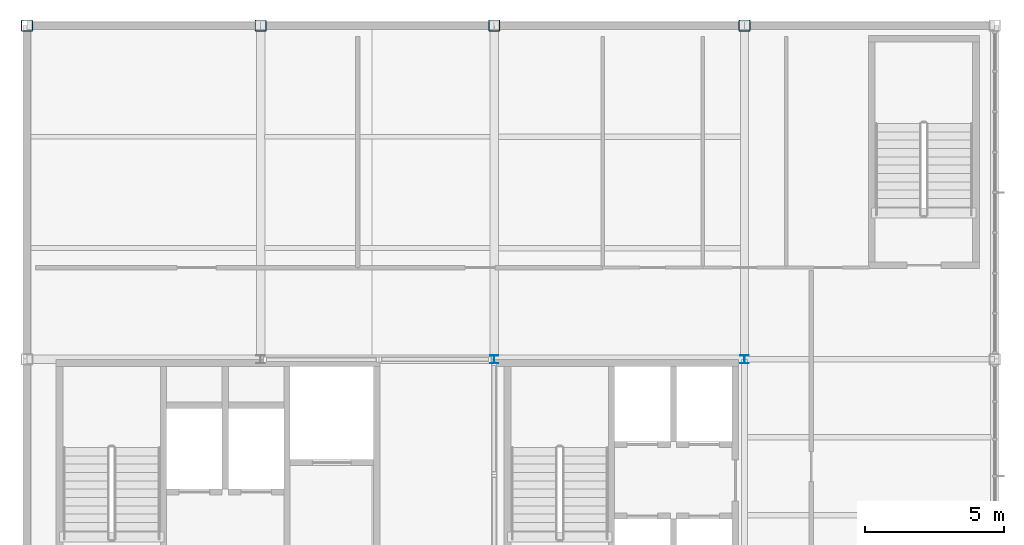
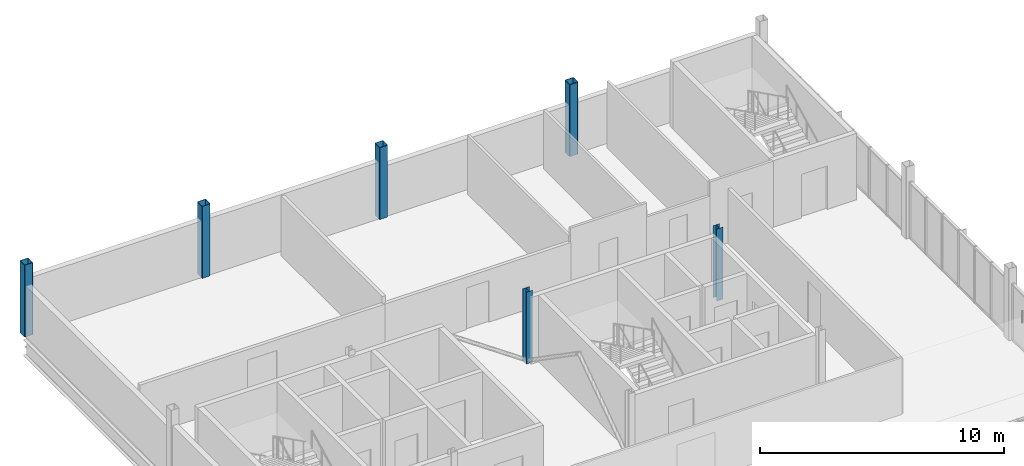
# One storey, part 2 of 17: 6 columns.
"""IFC4 building model written with IfcOpenShell, lengths in metres."""

from ifc_helpers import new_model, si_unit, direction, frame, origin, origin_2d, place, context, subcontext, project, spatial, hollow_rectangle, i_section, extrude, material, material_profile, profile_set, type_object, element, save


model = new_model("IFC4")

# Units and contexts
model_context = context("Model", 3, precision=1e-05, world=origin(), true_north=direction((0.0, 1.0)))
body_context = subcontext(model_context, "Body", "Model", "MODEL_VIEW")
ifc_project = project(units=[si_unit("LENGTHUNIT", "METRE"), si_unit("AREAUNIT", "SQUARE_METRE"), si_unit("VOLUMEUNIT", "CUBIC_METRE"), si_unit("PLANEANGLEUNIT", "RADIAN"), si_unit("MASSUNIT", "GRAM", prefix="KILO")], contexts=[model_context])

# Site, building, storey
site_placement = place(None, origin())
site = spatial("IfcSite", under=ifc_project, at=site_placement, CompositionType="ELEMENT")
building_placement = place(site_placement, origin())
building = spatial("IfcBuilding", under=site, at=building_placement, Name="Yukiwa Park Conservatory and Herbarium", CompositionType="ELEMENT")
storey_placement = place(building_placement, frame((0.0, 0.0, 57.60009765625)))
storey = spatial("IfcBuildingStorey", under=building, at=storey_placement, Name="L15", CompositionType="ELEMENT", Elevation=57.60009765625)

# Columns
ifc_material_1 = material(Name="Steel Q355D", Category="steel")
ifc_material_profile_1 = material_profile(ifc_material_1, hollow_rectangle(XDim=0.39990234375, YDim=0.39990234375, WallThickness=0.01611328125, InnerFilletRadius=0.01611328125, OuterFilletRadius=0.031982421875, at=origin_2d()), Name="BOX 400x400x16")
ifc_profile_set_1 = profile_set([ifc_material_profile_1], Name="Steel Q355D")
column_type_1 = type_object("IfcColumnType", Name="COL-TW-BOX400-EXT", PredefinedType="COLUMN", material=ifc_profile_set_1)
for number, where, z_axis, x_axis, name in (
    (1, (133.199951171875, 115.199951171875, 0.0), (0.0, 0.0, 1.0), (1.0, 0.0, 0.0), "L15 column V5-X1332-Y1152"),
    (2, (141.60009765625, 115.199951171875, 0.0), (0.0, 0.0, 1.0), (1.0, 0.0, 0.0), "L15 column V5-X1416-Y1152"),
    (3, (150.0, 115.199951171875, 0.0), (0.0, 0.0, 1.0), (1.0, 0.0, 0.0), "L15 column V5-X1500-Y1152"),
    (4, (159.0, 115.199951171875, 0.0), (0.0, 0.0, 1.0), (1.0, 0.0, 0.0), "L15 column V5-X1590-Y1152"),
):
    element("IfcColumn", number, at=place(storey_placement, frame(where, z_axis=z_axis, x_axis=x_axis)), inside=storey, type_object=column_type_1, Name=name, PredefinedType="COLUMN", context=body_context, shape_type="SweptSolid", body=[
        extrude(hollow_rectangle(XDim=0.39990234375, YDim=0.39990234375, WallThickness=0.01611328125, InnerFilletRadius=0.01611328125, OuterFilletRadius=0.031982421875, at=origin_2d()), origin(), (0.0, 0.0, 1.0), 3.599853515625),
    ])
ifc_material_2 = material(Name="Steel Q355D", Category="steel")
ifc_material_profile_2 = material_profile(ifc_material_2, i_section(OverallWidth=0.302001953125, OverallDepth=0.2939453125, WebThickness=0.011962890625, FlangeThickness=0.011962890625, FilletRadius=0.01806640625, at=origin_2d()), Name="HW 294x302x12x12")
ifc_profile_set_2 = profile_set([ifc_material_profile_2], Name="Steel Q355D")
column_type_2 = type_object("IfcColumnType", Name="COL-TW-HW294", PredefinedType="COLUMN", material=ifc_profile_set_2)
for number, where, z_axis, x_axis, name in (
    (5, (150.0, 103.199951171875, 0.0), (0.0, 0.0, 1.0), (1.0, 0.0, 0.0), "L15 column V5-X1500-Y1032"),
    (6, (159.0, 103.199951171875, 0.0), (0.0, 0.0, 1.0), (1.0, 0.0, 0.0), "L15 column V5-X1590-Y1032"),
):
    element("IfcColumn", number, at=place(storey_placement, frame(where, z_axis=z_axis, x_axis=x_axis)), inside=storey, type_object=column_type_2, Name=name, PredefinedType="COLUMN", context=body_context, shape_type="SweptSolid", body=[
        extrude(i_section(OverallWidth=0.302001953125, OverallDepth=0.2939453125, WebThickness=0.011962890625, FlangeThickness=0.011962890625, FilletRadius=0.01806640625, at=origin_2d()), origin(), (0.0, 0.0, 1.0), 3.599853515625),
    ])

save(model, "model.ifc")
